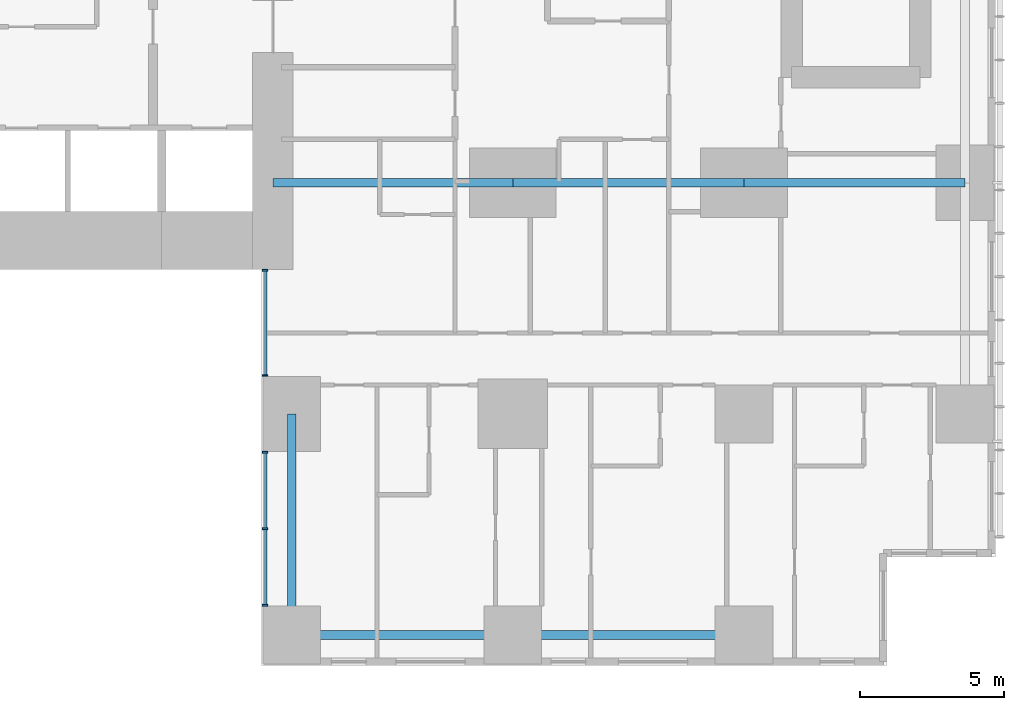
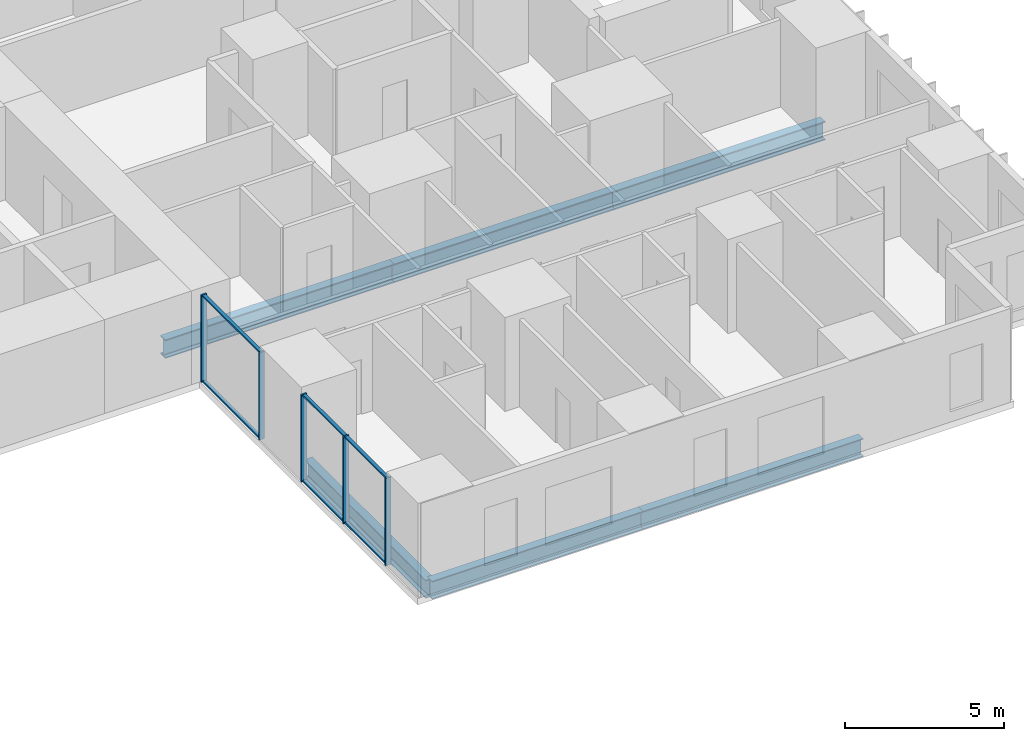
# One storey, part 3 of 21: 11 members, 6 beams, 2 elements without a shape of their own.
"""IFC4 building model written with IfcOpenShell, lengths in metres."""

from ifc_helpers import new_model, si_unit, direction, frame, origin, origin_2d, place, context, subcontext, project, spatial, rectangle, i_section, extrude, material, layer, layer_set, material_profile, profile_set, type_object, element, aggregate, save


model = new_model("IFC4")

# Units and contexts
model_context = context("Model", 3, precision=1e-05, world=origin(), true_north=direction((0.0, 1.0)))
body_context = subcontext(model_context, "Body", "Model", "MODEL_VIEW")
ifc_project = project(units=[si_unit("LENGTHUNIT", "METRE"), si_unit("AREAUNIT", "SQUARE_METRE"), si_unit("VOLUMEUNIT", "CUBIC_METRE"), si_unit("PLANEANGLEUNIT", "RADIAN"), si_unit("MASSUNIT", "GRAM", prefix="KILO")], contexts=[model_context])

# Site, building, storey
site_placement = place(None, origin())
site = spatial("IfcSite", under=ifc_project, at=site_placement, CompositionType="ELEMENT")
building_placement = place(site_placement, origin())
building = spatial("IfcBuilding", under=site, at=building_placement, Name="Cleftline Residences", CompositionType="ELEMENT")
storey_placement = place(building_placement, frame((0.0, 0.0, 128.60009765625)))
storey = spatial("IfcBuildingStorey", under=building, at=storey_placement, Name="L33", CompositionType="ELEMENT", Elevation=128.60009765625)

# Beams
ifc_material_1 = material(Name="Steel S355", Category="steel")
ifc_material_profile_1 = material_profile(ifc_material_1, i_section(OverallWidth=0.300048828125, OverallDepth=0.699951171875, WebThickness=0.01708984375, FlangeThickness=0.031982421875, FilletRadius=0.027099609375, at=origin_2d()))
ifc_profile_set_1 = profile_set([ifc_material_profile_1], Name="Steel S355")
beam_type_1 = type_object("IfcBeamType", Name="BEAM HEB 700", PredefinedType="BEAM", material=ifc_profile_set_1)
beam_1_placement = place(storey_placement, frame((58.0, 0.35009765625, -0.60009765625), z_axis=(-1.0, 0.0, 0.0), x_axis=(0.0, -1.0, 0.0)))
element("IfcBeam", 1, at=beam_1_placement, inside=storey, type_object=beam_type_1, Name="Edge beam", PredefinedType="BEAM", context=body_context, shape_type="SweptSolid", body=[
    extrude(i_section(OverallWidth=0.300048828125, OverallDepth=0.699951171875, WebThickness=0.01708984375, FlangeThickness=0.031982421875, FilletRadius=0.027099609375, at=origin_2d()), origin(), (0.0, 0.0, 1.0), 8.0),
])
for number, where, z_axis, x_axis, name in (
    (2, (50.0, 0.35009765625, -0.60009765625), (-1.0, 0.0, 0.0), (0.0, -1.0, 0.0), "Edge beam"),
    (3, (42.35009765625, 0.35009765625, -0.60009765625), (0.0, 1.0, 0.0), (-1.0, 0.0, 0.0), "Edge beam"),
):
    element("IfcBeam", number, at=place(storey_placement, frame(where, z_axis=z_axis, x_axis=x_axis)), inside=storey, type_object=beam_type_1, Name=name, PredefinedType="BEAM", context=body_context, shape_type="SweptSolid", body=[
        extrude(i_section(OverallWidth=0.300048828125, OverallDepth=0.699951171875, WebThickness=0.01708984375, FlangeThickness=0.031982421875, FilletRadius=0.027099609375, at=origin_2d()), origin(), (0.0, 0.0, 1.0), 7.64990234375),
    ])
ifc_material_2 = material(Name="Steel S355", Category="steel")
ifc_material_profile_2 = material_profile(ifc_material_2, i_section(OverallWidth=0.303955078125, OverallDepth=0.716064453125, WebThickness=0.02099609375, FlangeThickness=0.0400390625, FilletRadius=0.027099609375, at=origin_2d()))
ifc_profile_set_2 = profile_set([ifc_material_profile_2], Name="Steel S355")
beam_type_2 = type_object("IfcBeamType", Name="BEAM HEM 700", PredefinedType="BEAM", material=ifc_profile_set_2)
beam_2_placement = place(storey_placement, frame((65.64990234375, 16.0, -0.608154296875), z_axis=(-1.0, 0.0, 0.0), x_axis=(0.0, -1.0, 0.0)))
element("IfcBeam", 4, at=beam_2_placement, inside=storey, type_object=beam_type_2, Name="Band beam", PredefinedType="BEAM", context=body_context, shape_type="SweptSolid", body=[
    extrude(i_section(OverallWidth=0.303955078125, OverallDepth=0.716064453125, WebThickness=0.02099609375, FlangeThickness=0.0400390625, FilletRadius=0.027099609375, at=origin_2d()), origin(), (0.0, 0.0, 1.0), 7.64990234375),
])
beam_3_placement = place(storey_placement, frame((58.0, 16.0, -0.608154296875), z_axis=(-1.0, 0.0, 0.0), x_axis=(0.0, -1.0, 0.0)))
element("IfcBeam", 5, at=beam_3_placement, inside=storey, type_object=beam_type_2, Name="Band beam", PredefinedType="BEAM", context=body_context, shape_type="SweptSolid", body=[
    extrude(i_section(OverallWidth=0.303955078125, OverallDepth=0.716064453125, WebThickness=0.02099609375, FlangeThickness=0.0400390625, FilletRadius=0.027099609375, at=origin_2d()), origin(), (0.0, 0.0, 1.0), 8.0),
])
beam_4_placement = place(storey_placement, frame((50.0, 16.0, -0.608154296875), z_axis=(-1.0, 0.0, 0.0), x_axis=(0.0, -1.0, 0.0)))
element("IfcBeam", 6, at=beam_4_placement, inside=storey, type_object=beam_type_2, Name="Band beam", PredefinedType="BEAM", context=body_context, shape_type="SweptSolid", body=[
    extrude(i_section(OverallWidth=0.303955078125, OverallDepth=0.716064453125, WebThickness=0.02099609375, FlangeThickness=0.0400390625, FilletRadius=0.027099609375, at=origin_2d()), origin(), (0.0, 0.0, 1.0), 8.300048828125),
])

# Curtain wall, members
ifc_material_3 = material(Name="Aluminium framed curtain wall", Category="aluminium")
ifc_layer = layer(ifc_material_3, 0.199951171875)
ifc_layer_set = layer_set([ifc_layer], Name="CW1 CLEFT GLAZING")
curtain_wall_type = type_object("IfcCurtainWallType", Name="CW1 CLEFT GLAZING", PredefinedType="NOTDEFINED", material=ifc_layer_set)
curtain_wall_1_placement = place(storey_placement, origin())
curtain_wall_1 = element("IfcCurtainWall", 7, at=curtain_wall_1_placement, inside=storey, type_object=curtain_wall_type, Name="Curtain wall CW1", PredefinedType="NOTDEFINED")
ifc_material_4 = material(Name="Aluminium mullion", Category="aluminium")
ifc_material_profile_3 = material_profile(ifc_material_4, rectangle(XDim=0.199951171875, YDim=0.06005859375, at=origin_2d()))
ifc_profile_set_3 = profile_set([ifc_material_profile_3], Name="Aluminium mullion")
member_type_1 = type_object("IfcMemberType", Name="CW1 MULLION", PredefinedType="MULLION", material=ifc_profile_set_3)
member_1_placement = place(storey_placement, frame((41.425048828125, 12.969970703125, 0.0), z_axis=(0.0, 0.0, 1.0), x_axis=(1.0, 0.0, 0.0)))
member_1 = element("IfcMember", 8, at=member_1_placement, type_object=member_type_1, Name="CW1 mullion 1", PredefinedType="MULLION", context=body_context, shape_type="SweptSolid", body=[
    extrude(rectangle(XDim=0.199951171875, YDim=0.06005859375, at=origin_2d()), origin(), (0.0, 0.0, 1.0), 3.349853515625),
])
member_2_placement = place(storey_placement, frame((41.425048828125, 9.330078125, 0.0), z_axis=(0.0, 0.0, 1.0), x_axis=(1.0, 0.0, 0.0)))
member_2 = element("IfcMember", 9, at=member_2_placement, type_object=member_type_1, Name="CW1 mullion 2", PredefinedType="MULLION", context=body_context, shape_type="SweptSolid", body=[
    extrude(rectangle(XDim=0.199951171875, YDim=0.06005859375, at=origin_2d()), origin(), (0.0, 0.0, 1.0), 3.349853515625),
])

curtain_wall_2_placement = place(storey_placement, origin())
curtain_wall_2 = element("IfcCurtainWall", 10, at=curtain_wall_2_placement, inside=storey, type_object=curtain_wall_type, Name="Curtain wall CW1", PredefinedType="NOTDEFINED")
member_3_placement = place(storey_placement, frame((41.425048828125, 6.669921875, 0.0), z_axis=(0.0, 0.0, 1.0), x_axis=(1.0, 0.0, 0.0)))
member_3 = element("IfcMember", 11, at=member_3_placement, type_object=member_type_1, Name="CW1 mullion 1", PredefinedType="MULLION", context=body_context, shape_type="SweptSolid", body=[
    extrude(rectangle(XDim=0.199951171875, YDim=0.06005859375, at=origin_2d()), origin(), (0.0, 0.0, 1.0), 3.349853515625),
])
member_4_placement = place(storey_placement, frame((41.425048828125, 4.02490234375, 0.0), z_axis=(0.0, 0.0, 1.0), x_axis=(1.0, 0.0, 0.0)))
member_4 = element("IfcMember", 12, at=member_4_placement, type_object=member_type_1, Name="CW1 mullion 2", PredefinedType="MULLION", context=body_context, shape_type="SweptSolid", body=[
    extrude(rectangle(XDim=0.199951171875, YDim=0.06005859375, at=origin_2d()), origin(), (0.0, 0.0, 1.0), 3.349853515625),
])
member_5_placement = place(storey_placement, frame((41.425048828125, 1.3798828125, 0.0), z_axis=(0.0, 0.0, 1.0), x_axis=(1.0, 0.0, 0.0)))
member_5 = element("IfcMember", 13, at=member_5_placement, type_object=member_type_1, Name="CW1 mullion 3", PredefinedType="MULLION", context=body_context, shape_type="SweptSolid", body=[
    extrude(rectangle(XDim=0.199951171875, YDim=0.06005859375, at=origin_2d()), origin(), (0.0, 0.0, 1.0), 3.349853515625),
])

# Member
ifc_material_5 = material(Name="Aluminium transom", Category="aluminium")
ifc_material_profile_4 = material_profile(ifc_material_5, rectangle(XDim=0.1201171875, YDim=0.06005859375, at=origin_2d()))
ifc_profile_set_4 = profile_set([ifc_material_profile_4], Name="Aluminium transom")
member_type_2 = type_object("IfcMemberType", Name="CW1 TRANSOM", PredefinedType="USERDEFINED", material=ifc_profile_set_4)
member_6_placement = place(storey_placement, frame((41.425048828125, 12.93994140625, 0.02978515625), z_axis=(0.0, -1.0, 0.0), x_axis=(1.0, 0.0, 0.0)))
member_6 = element("IfcMember", 14, at=member_6_placement, type_object=member_type_2, Name="CW1 transom 1.1", ObjectType="TRANSOM", PredefinedType="USERDEFINED", context=body_context, shape_type="SweptSolid", body=[
    extrude(rectangle(XDim=0.1201171875, YDim=0.06005859375, at=origin_2d()), origin(), (0.0, 0.0, 1.0), 3.579833984375),
])

member_7_placement = place(storey_placement, frame((41.425048828125, 12.93994140625, 3.31982421875), z_axis=(0.0, -1.0, 0.0), x_axis=(1.0, 0.0, 0.0)))
member_7 = element("IfcMember", 15, at=member_7_placement, type_object=member_type_2, Name="CW1 transom 1.2", ObjectType="TRANSOM", PredefinedType="USERDEFINED", context=body_context, shape_type="SweptSolid", body=[
    extrude(rectangle(XDim=0.1201171875, YDim=0.06005859375, at=origin_2d()), origin(), (0.0, 0.0, 1.0), 3.579833984375),
])

aggregate(curtain_wall_1, [member_1, member_2, member_6, member_7])

member_8_placement = place(storey_placement, frame((41.425048828125, 6.639892578125, 0.02978515625), z_axis=(0.0, -1.0, 0.0), x_axis=(1.0, 0.0, 0.0)))
member_8 = element("IfcMember", 16, at=member_8_placement, type_object=member_type_2, Name="CW1 transom 1.1", ObjectType="TRANSOM", PredefinedType="USERDEFINED", context=body_context, shape_type="SweptSolid", body=[
    extrude(rectangle(XDim=0.1201171875, YDim=0.06005859375, at=origin_2d()), origin(), (0.0, 0.0, 1.0), 2.5849609375),
])

member_9_placement = place(storey_placement, frame((41.425048828125, 6.639892578125, 3.31982421875), z_axis=(0.0, -1.0, 0.0), x_axis=(1.0, 0.0, 0.0)))
member_9 = element("IfcMember", 17, at=member_9_placement, type_object=member_type_2, Name="CW1 transom 1.2", ObjectType="TRANSOM", PredefinedType="USERDEFINED", context=body_context, shape_type="SweptSolid", body=[
    extrude(rectangle(XDim=0.1201171875, YDim=0.06005859375, at=origin_2d()), origin(), (0.0, 0.0, 1.0), 2.5849609375),
])

member_10_placement = place(storey_placement, frame((41.425048828125, 3.9951171875, 0.02978515625), z_axis=(0.0, -1.0, 0.0), x_axis=(1.0, 0.0, 0.0)))
member_10 = element("IfcMember", 18, at=member_10_placement, type_object=member_type_2, Name="CW1 transom 2.1", ObjectType="TRANSOM", PredefinedType="USERDEFINED", context=body_context, shape_type="SweptSolid", body=[
    extrude(rectangle(XDim=0.1201171875, YDim=0.06005859375, at=origin_2d()), origin(), (0.0, 0.0, 1.0), 2.585205078125),
])

member_11_placement = place(storey_placement, frame((41.425048828125, 3.9951171875, 3.31982421875), z_axis=(0.0, -1.0, 0.0), x_axis=(1.0, 0.0, 0.0)))
member_11 = element("IfcMember", 19, at=member_11_placement, type_object=member_type_2, Name="CW1 transom 2.2", ObjectType="TRANSOM", PredefinedType="USERDEFINED", context=body_context, shape_type="SweptSolid", body=[
    extrude(rectangle(XDim=0.1201171875, YDim=0.06005859375, at=origin_2d()), origin(), (0.0, 0.0, 1.0), 2.585205078125),
])

aggregate(curtain_wall_2, [member_3, member_4, member_5, member_8, member_9, member_10, member_11])

save(model, "model.ifc")
